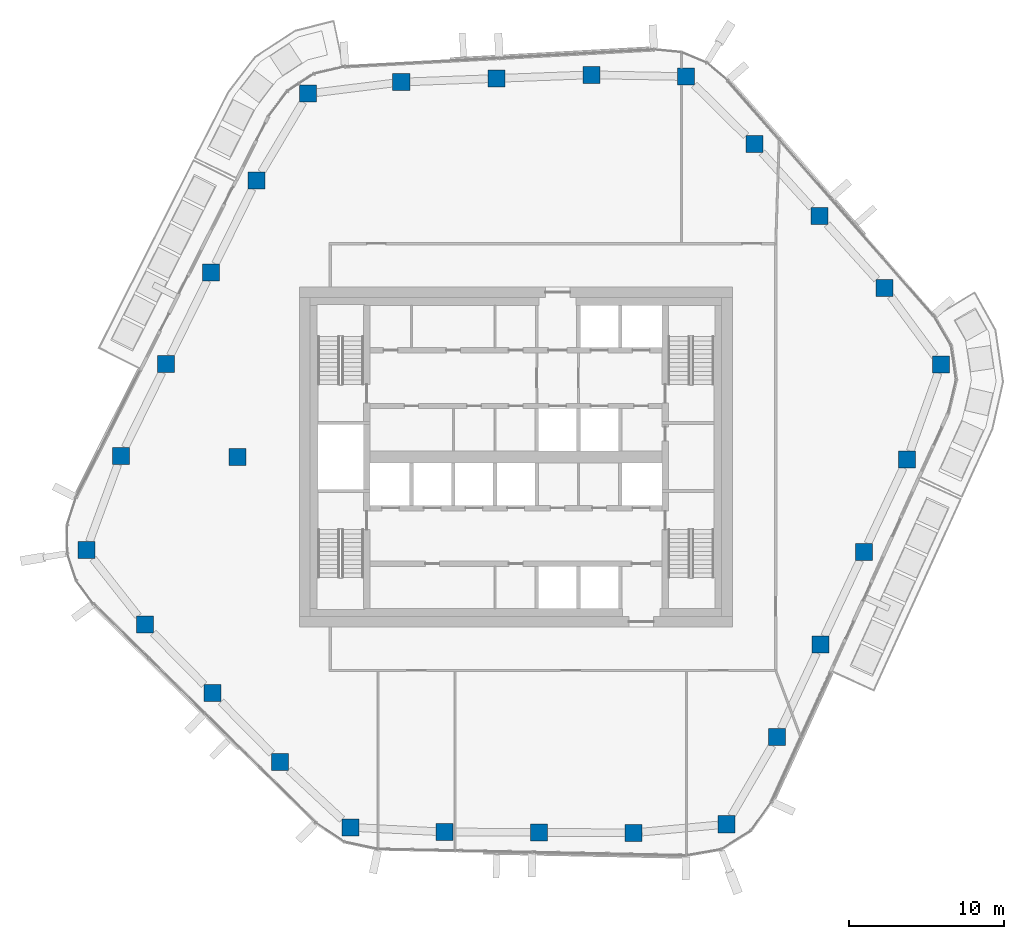
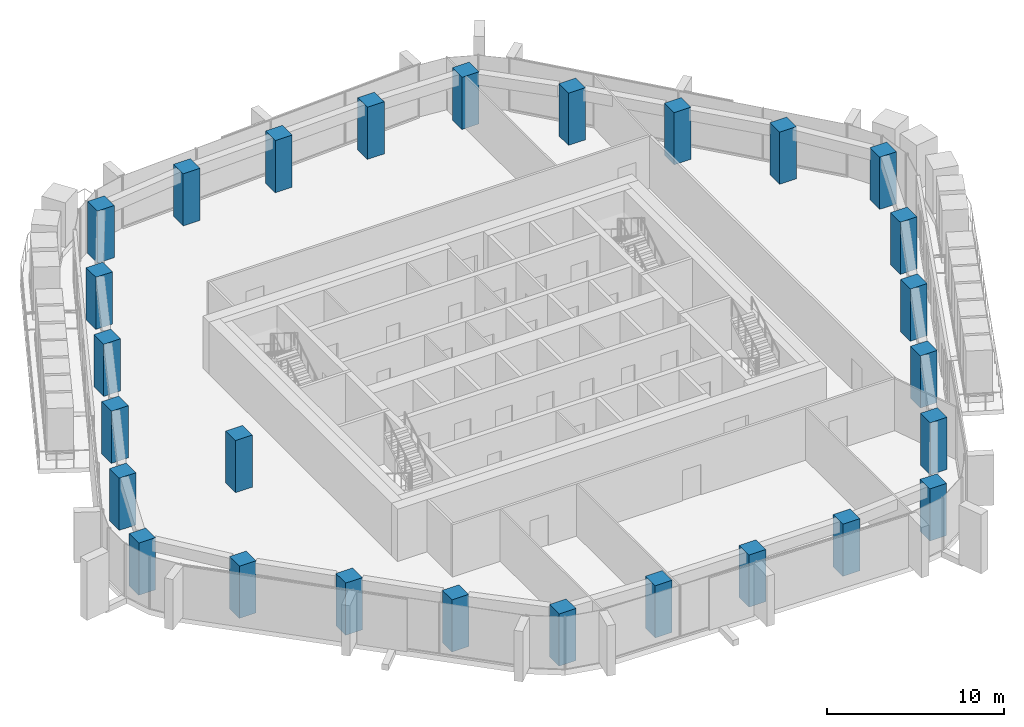
# One storey, part 1 of 21: 27 columns.
"""IFC4 building model written with IfcOpenShell, lengths in metres."""

from ifc_helpers import new_model, si_unit, direction, frame, origin, origin_2d, place, context, subcontext, project, spatial, rectangle, extrude, material, material_profile, profile_set, type_object, element, save


model = new_model("IFC4")

# Units and contexts
model_context = context("Model", 3, precision=1e-05, world=origin(), true_north=direction((0.0, 1.0)))
body_context = subcontext(model_context, "Body", "Model", "MODEL_VIEW")
ifc_project = project(units=[si_unit("LENGTHUNIT", "METRE"), si_unit("AREAUNIT", "SQUARE_METRE"), si_unit("VOLUMEUNIT", "CUBIC_METRE"), si_unit("PLANEANGLEUNIT", "RADIAN"), si_unit("MASSUNIT", "GRAM", prefix="KILO")], contexts=[model_context])

# Site, building, storey
site_placement = place(None, origin())
site = spatial("IfcSite", under=ifc_project, at=site_placement, CompositionType="ELEMENT")
building_placement = place(site_placement, origin())
building = spatial("IfcBuilding", under=site, at=building_placement, Name="Dongbaek Canopy Tower", CompositionType="ELEMENT")
storey_placement = place(building_placement, frame((0.0, 0.0, 279.0)))
storey = spatial("IfcBuildingStorey", under=building, at=storey_placement, Name="L59", CompositionType="ELEMENT", Elevation=279.0)

# Columns
ifc_material = material(Name="Concrete C70", Category="concrete")
ifc_material_profile = material_profile(ifc_material, rectangle(XDim=1.10009765625, YDim=1.10009765625, at=origin_2d()), Name="RC COLUMN 1100x1100 C70")
ifc_profile_set = profile_set([ifc_material_profile], Name="Concrete C70")
column_type = type_object("IfcColumnType", Name="RC COLUMN 1100x1100 C70", PredefinedType="COLUMN", material=ifc_profile_set)
for number, where, z_axis, x_axis, name in (
    (1, (13.612060546875, -23.74609375, 0.0), (0.0, 0.0, 1.0), (1.0, 0.0, 0.0), "COL:CZ4-01:L59"),
    (2, (7.615966796875, -24.300048828125, 0.0), (0.0, 0.0, 1.0), (1.0, 0.0, 0.0), "COL:CZ4-02:L59"),
    (3, (1.501953125, -24.27197265625, 0.0), (0.0, 0.0, 1.0), (1.0, 0.0, 0.0), "COL:CZ4-03:L59"),
    (4, (-4.611083984375, -24.24609375, 0.0), (0.0, 0.0, 1.0), (1.0, 0.0, 0.0), "COL:CZ4-04:L59"),
    (5, (-10.697021484375, -23.946044921875, 0.0), (0.0, 0.0, 1.0), (1.0, 0.0, 0.0), "COL:CZ4-05:L59"),
    (6, (-15.2470703125, -19.714111328125, 0.0), (0.0, 0.0, 1.0), (1.0, 0.0, 0.0), "COL:CZ4-06:L59"),
    (7, (-19.6220703125, -15.27197265625, 0.0), (0.0, 0.0, 1.0), (1.0, 0.0, 0.0), "COL:CZ4-07:L59"),
    (8, (-23.9970703125, -10.8291015625, 0.0), (0.0, 0.0, 1.0), (1.0, 0.0, 0.0), "COL:CZ4-08:L59"),
    (9, (-27.781982421875, -6.02001953125, 0.0), (0.0, 0.0, 1.0), (1.0, 0.0, 0.0), "COL:CZ4-09:L59"),
    (10, (-25.5400390625, 0.075927734375, 0.0), (0.0, 0.0, 1.0), (1.0, 0.0, 0.0), "COL:CZ4-10:L59"),
    (11, (-22.62109375, 6.010986328125, 0.0), (0.0, 0.0, 1.0), (1.0, 0.0, 0.0), "COL:CZ4-11:L59"),
    (12, (-19.701904296875, 11.945068359375, 0.0), (0.0, 0.0, 1.0), (1.0, 0.0, 0.0), "COL:CZ4-12:L59"),
    (13, (-16.783935546875, 17.8779296875, 0.0), (0.0, 0.0, 1.0), (1.0, 0.0, 0.0), "COL:CZ4-13:L59"),
    (14, (-13.44189453125, 23.490966796875, 0.0), (0.0, 0.0, 1.0), (1.0, 0.0, 0.0), "COL:CZ4-14:L59"),
    (15, (-7.4150390625, 24.242919921875, 0.0), (0.0, 0.0, 1.0), (1.0, 0.0, 0.0), "COL:CZ4-15:L59"),
    (16, (-1.26611328125, 24.47900390625, 0.0), (0.0, 0.0, 1.0), (1.0, 0.0, 0.0), "COL:CZ4-16:L59"),
    (17, (4.883056640625, 24.714111328125, 0.0), (0.0, 0.0, 1.0), (1.0, 0.0, 0.0), "COL:CZ4-17:L59"),
    (18, (10.989990234375, 24.59912109375, 0.0), (0.0, 0.0, 1.0), (1.0, 0.0, 0.0), "COL:CZ4-18:L59"),
    (19, (15.41796875, 20.22900390625, 0.0), (0.0, 0.0, 1.0), (1.0, 0.0, 0.0), "COL:CZ4-19:L59"),
    (20, (19.625, 15.583984375, 0.0), (0.0, 0.0, 1.0), (1.0, 0.0, 0.0), "COL:CZ4-20:L59"),
    (21, (23.8310546875, 10.93896484375, 0.0), (0.0, 0.0, 1.0), (1.0, 0.0, 0.0), "COL:CZ4-21:L59"),
    (22, (27.491943359375, 5.97705078125, 0.0), (0.0, 0.0, 1.0), (1.0, 0.0, 0.0), "COL:CZ4-22:L59"),
    (23, (25.302001953125, -0.152099609375, 0.0), (0.0, 0.0, 1.0), (1.0, 0.0, 0.0), "COL:CZ4-23:L59"),
    (24, (22.4990234375, -6.138916015625, 0.0), (0.0, 0.0, 1.0), (1.0, 0.0, 0.0), "COL:CZ4-24:L59"),
    (25, (19.695068359375, -12.126953125, 0.0), (0.0, 0.0, 1.0), (1.0, 0.0, 0.0), "COL:CZ4-25:L59"),
    (26, (16.889892578125, -18.114013671875, 0.0), (0.0, 0.0, 1.0), (1.0, 0.0, 0.0), "COL:CZ4-26:L59"),
    (27, (-18.0, 0.0, 0.0), (0.0, 0.0, 1.0), (1.0, 0.0, 0.0), "COL:CIZ4-01:L59"),
):
    element("IfcColumn", number, at=place(storey_placement, frame(where, z_axis=z_axis, x_axis=x_axis)), inside=storey, type_object=column_type, Name=name, PredefinedType="COLUMN", context=body_context, shape_type="SweptSolid", body=[
        extrude(rectangle(XDim=1.10009765625, YDim=1.10009765625, at=origin_2d()), origin(), (0.0, 0.0, 1.0), 3.60009765625),
    ])

save(model, "model.ifc")
